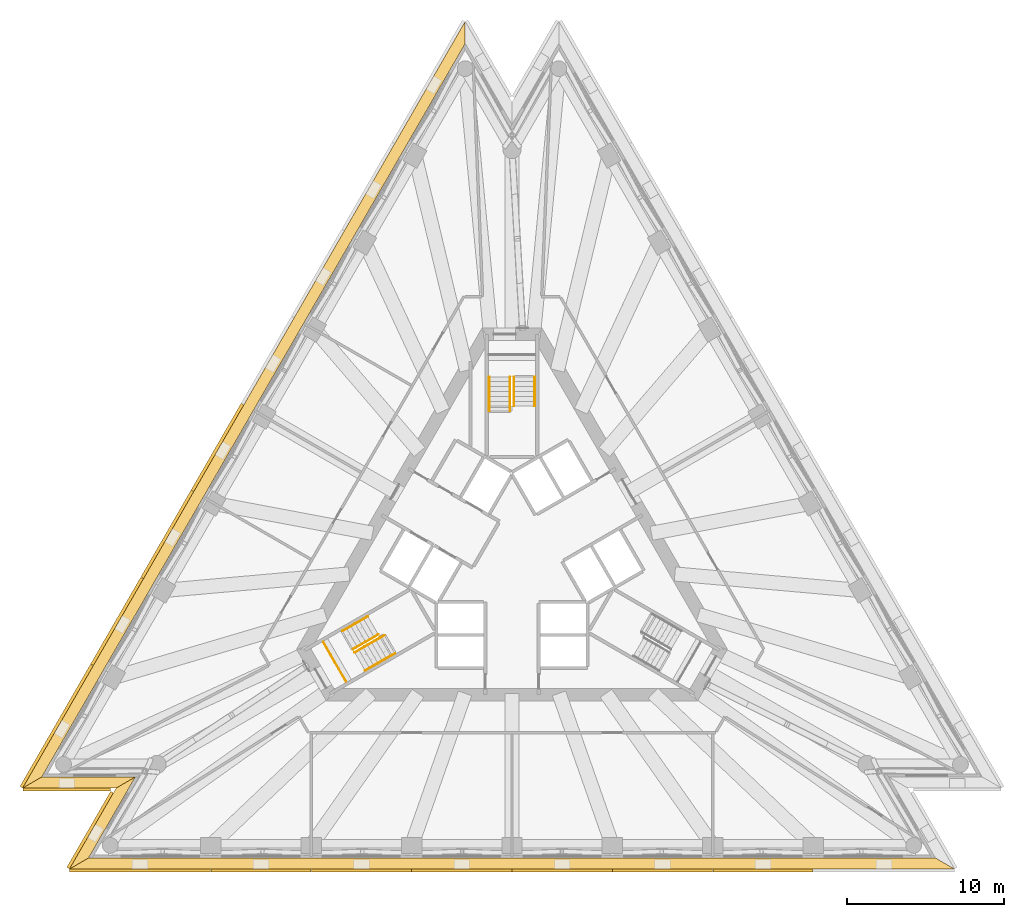
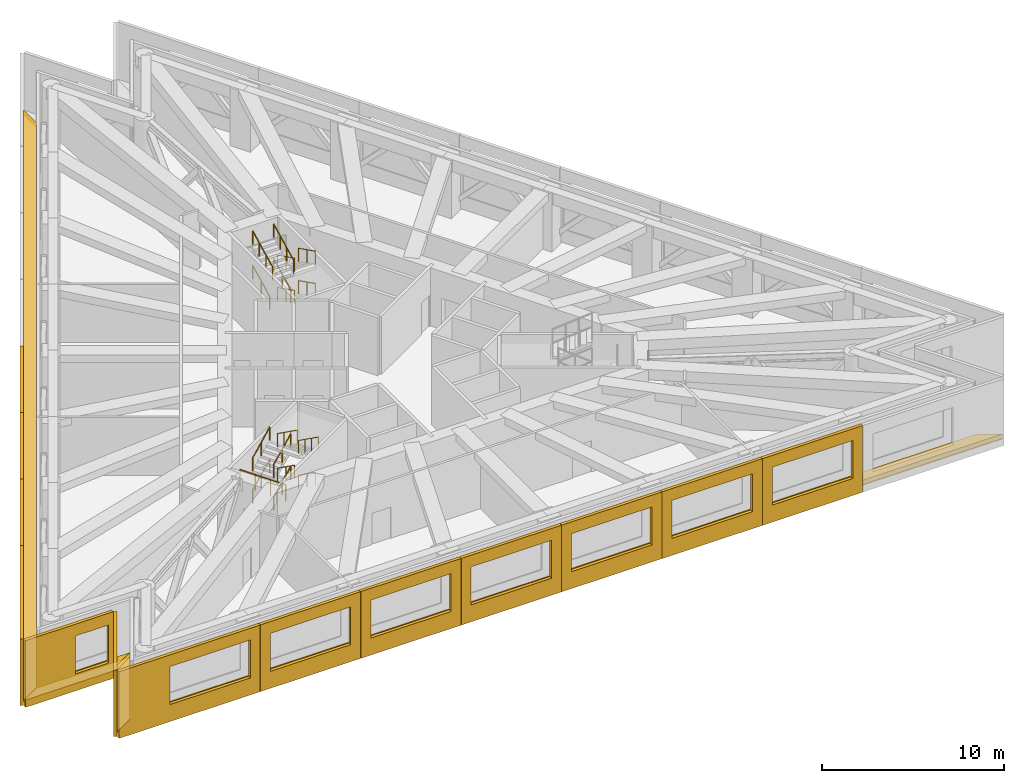
# One storey, part 12 of 13: 17 railings, 17 shading devices, 4 coverings, 2 elements without a shape of their own.
"""IFC4 building model written with IfcOpenShell, lengths in metres."""

from ifc_helpers import new_model, si_unit, direction, frame, origin, origin_2d, place, context, subcontext, project, spatial, polyline, circle, outline, extrude, material, layer, layer_set, layer_usage, type_object, element, aggregate, save


model = new_model("IFC4")

# Units and contexts
model_context = context("Model", 3, precision=1e-05, world=origin(), true_north=direction((0.0, 1.0)))
body_context = subcontext(model_context, "Body", "Model", "MODEL_VIEW")
ifc_project = project(units=[si_unit("LENGTHUNIT", "METRE"), si_unit("AREAUNIT", "SQUARE_METRE"), si_unit("VOLUMEUNIT", "CUBIC_METRE"), si_unit("PLANEANGLEUNIT", "RADIAN"), si_unit("MASSUNIT", "GRAM", prefix="KILO")], contexts=[model_context])

# Site, building, storey
site_placement = place(None, origin())
site = spatial("IfcSite", under=ifc_project, at=site_placement, CompositionType="ELEMENT")
building_placement = place(site_placement, origin())
building = spatial("IfcBuilding", under=site, at=building_placement, Name="Triada Interchange Tower", CompositionType="ELEMENT")
storey_placement = place(building_placement, frame((0.0, 0.0, 176.300048828125)))
storey = spatial("IfcBuildingStorey", under=building, at=storey_placement, Name="L41", CompositionType="ELEMENT", Elevation=176.300048828125)

# Coverings
ifc_material_1 = material(Name="Mineral fire-stop board")
ifc_layer_1 = layer(ifc_material_1, 0.0400390625, Name="Mineral fire-stop board")
ifc_material_2 = material(Name="Intumescent sealant")
ifc_layer_2 = layer(ifc_material_2, 0.010009765625, Name="Intumescent seal")
ifc_layer_set_1 = layer_set([ifc_layer_1, ifc_layer_2], Name="Cavity fire stop")
ifc_layer_usage = layer_usage(ifc_layer_set_1, "AXIS3", "POSITIVE", 0.0)
covering_type = type_object("IfcCoveringType", Name="Cavity fire stop", PredefinedType="INSULATION", material=ifc_layer_set_1)
covering_1_placement = place(storey_placement, origin())
element("IfcCovering", 1, at=covering_1_placement, inside=storey, type_object=covering_type, material=ifc_layer_usage, Name="Cavity fire stop L41 NW", PredefinedType="INSULATION", context=body_context, shape_type="SweptSolid", body=[
    extrude(outline(polyline([(-2.970947265625, 32.77587890625), (-2.970947265625, 34.176025390625), (-31.08203125, -14.514892578125), (-29.8701171875, -13.81494140625), (-2.970947265625, 32.77587890625)])), origin(), (0.0, 0.0, 1.0), 0.050048828125),
])
covering_2_placement = place(storey_placement, origin())
element("IfcCovering", 2, at=covering_2_placement, inside=storey, type_object=covering_type, material=ifc_layer_usage, Name="Cavity fire stop L41 SW-1", PredefinedType="INSULATION", context=body_context, shape_type="SweptSolid", body=[
    extrude(outline(polyline([(-29.8701171875, -13.81494140625), (-31.08203125, -14.514892578125), (-25.139892578125, -14.514892578125), (-23.927978515625, -13.81494140625), (-29.8701171875, -13.81494140625)])), origin(), (0.0, 0.0, 1.0), 0.050048828125),
])
covering_3_placement = place(storey_placement, origin())
element("IfcCovering", 3, at=covering_3_placement, inside=storey, type_object=covering_type, material=ifc_layer_usage, Name="Cavity fire stop L41 SW-2", PredefinedType="INSULATION", context=body_context, shape_type="SweptSolid", body=[
    extrude(outline(polyline([(-23.927978515625, -13.81494140625), (-25.139892578125, -14.514892578125), (-28.111083984375, -19.660888671875), (-26.89892578125, -18.9609375), (-23.927978515625, -13.81494140625)])), origin(), (0.0, 0.0, 1.0), 0.050048828125),
])
covering_4_placement = place(storey_placement, origin())
element("IfcCovering", 4, at=covering_4_placement, inside=storey, type_object=covering_type, material=ifc_layer_usage, Name="Cavity fire stop L41 S", PredefinedType="INSULATION", context=body_context, shape_type="SweptSolid", body=[
    extrude(outline(polyline([(-26.89892578125, -18.9609375), (-28.111083984375, -19.660888671875), (28.111083984375, -19.660888671875), (26.89892578125, -18.9609375), (-26.89892578125, -18.9609375)])), origin(), (0.0, 0.0, 1.0), 0.050048828125),
])

# Shading devices
ifc_material_3 = material(Name="Aluminium louvre", Category="aluminium")
shading_device_type_1 = type_object("IfcShadingDeviceType", Name="Cavity louvre grille", PredefinedType="JALOUSIE", material=ifc_material_3)
shading_device_1_placement = place(storey_placement, frame((0.0, 0.0, 0.050048828125)))
element("IfcShadingDevice", 5, at=shading_device_1_placement, inside=storey, type_object=shading_device_type_1, Name="Cavity louvre grille L41 NW", PredefinedType="JALOUSIE", context=body_context, shape_type="SweptSolid", body=[
    extrude(outline(polyline([(-2.970947265625, 32.77587890625), (-2.970947265625, 34.176025390625), (-31.08203125, -14.514892578125), (-29.8701171875, -13.81494140625), (-2.970947265625, 32.77587890625)])), origin(), (0.0, 0.0, 1.0), 0.2998046875),
])
shading_device_2_placement = place(storey_placement, frame((0.0, 0.0, 0.050048828125)))
element("IfcShadingDevice", 6, at=shading_device_2_placement, inside=storey, type_object=shading_device_type_1, Name="Cavity louvre grille L41 SW-1", PredefinedType="JALOUSIE", context=body_context, shape_type="SweptSolid", body=[
    extrude(outline(polyline([(-29.8701171875, -13.81494140625), (-31.08203125, -14.514892578125), (-25.139892578125, -14.514892578125), (-23.927978515625, -13.81494140625), (-29.8701171875, -13.81494140625)])), origin(), (0.0, 0.0, 1.0), 0.2998046875),
])
shading_device_3_placement = place(storey_placement, frame((0.0, 0.0, 0.050048828125)))
element("IfcShadingDevice", 7, at=shading_device_3_placement, inside=storey, type_object=shading_device_type_1, Name="Cavity louvre grille L41 SW-2", PredefinedType="JALOUSIE", context=body_context, shape_type="SweptSolid", body=[
    extrude(outline(polyline([(-23.927978515625, -13.81494140625), (-25.139892578125, -14.514892578125), (-28.111083984375, -19.660888671875), (-26.89892578125, -18.9609375), (-23.927978515625, -13.81494140625)])), origin(), (0.0, 0.0, 1.0), 0.2998046875),
])
shading_device_4_placement = place(storey_placement, frame((0.0, 0.0, 0.050048828125)))
element("IfcShadingDevice", 8, at=shading_device_4_placement, inside=storey, type_object=shading_device_type_1, Name="Cavity louvre grille L41 S", PredefinedType="JALOUSIE", context=body_context, shape_type="SweptSolid", body=[
    extrude(outline(polyline([(-26.89892578125, -18.9609375), (-28.111083984375, -19.660888671875), (28.111083984375, -19.660888671875), (26.89892578125, -18.9609375), (-26.89892578125, -18.9609375)])), origin(), (0.0, 0.0, 1.0), 0.2998046875),
])
ifc_material_4 = material(Name="Concrete C50/60 precast", Category="concrete")
ifc_layer_3 = layer(ifc_material_4, 0.02001953125, Name="Exposed aggregate face")
ifc_layer_4 = layer(ifc_material_4, 0.179931640625, Name="Precast concrete screen")
ifc_layer_set_2 = layer_set([ifc_layer_3, ifc_layer_4], Name="Outer skin screen panel 4480")
shading_device_type_2 = type_object("IfcShadingDeviceType", Name="Outer skin screen panel 4480", PredefinedType="SHUTTER", material=ifc_layer_set_2)
shading_device_5_placement = place(storey_placement, frame((-17.031982421875, 9.822021484375, -0.2900390625), z_axis=(0.0, 0.0, 1.0), x_axis=(-0.499934055456, -0.866063473537, 0.0)))
element("IfcShadingDevice", 9, at=shading_device_5_placement, inside=storey, type_object=shading_device_type_2, Name="Outer skin screen panel L41 05", PredefinedType="SHUTTER", context=body_context, shape_type="SweptSolid", body=[
    extrude(outline(polyline([(0.0, 0.0), (6.358642578125, 0.0), (6.358642578125, 4.47998046875), (0.0, 4.47998046875), (0.0, 0.0)]), holes=[polyline([(0.62890625, 1.139892578125), (0.62890625, 3.68994140625), (5.72900390625, 3.68994140625), (5.72900390625, 1.139892578125), (0.62890625, 1.139892578125)])]), frame((0.0, 0.0, 0.0), z_axis=(0.0, -1.0, 0.0), x_axis=(1.0, 0.0, 0.0)), (0.0, 0.0, 1.0), 0.199951171875),
])
shading_device_6_placement = place(storey_placement, frame((-20.220947265625, 4.298095703125, -0.2900390625), z_axis=(0.0, 0.0, 1.0), x_axis=(-0.499934055456, -0.866063473537, 0.0)))
element("IfcShadingDevice", 10, at=shading_device_6_placement, inside=storey, type_object=shading_device_type_2, Name="Outer skin screen panel L41 06", PredefinedType="SHUTTER", context=body_context, shape_type="SweptSolid", body=[
    extrude(outline(polyline([(0.0, 0.0), (6.358642578125, 0.0), (6.358642578125, 4.47998046875), (0.0, 4.47998046875), (0.0, 0.0)]), holes=[polyline([(0.629638671875, 1.139892578125), (0.629638671875, 3.68994140625), (5.7294921875, 3.68994140625), (5.7294921875, 1.139892578125), (0.629638671875, 1.139892578125)])]), frame((0.0, 0.0, 0.0), z_axis=(0.0, -1.0, 0.0), x_axis=(1.0, 0.0, 0.0)), (0.0, 0.0, 1.0), 0.199951171875),
])
shading_device_7_placement = place(storey_placement, frame((-23.409912109375, -1.22607421875, -0.2900390625), z_axis=(0.0, 0.0, 1.0), x_axis=(-0.500045985206, -0.865998852585, 0.0)))
element("IfcShadingDevice", 11, at=shading_device_7_placement, inside=storey, type_object=shading_device_type_2, Name="Outer skin screen panel L41 07", PredefinedType="SHUTTER", context=body_context, shape_type="SweptSolid", body=[
    extrude(outline(polyline([(0.0, 0.0), (6.35791015625, 0.0), (6.35791015625, 4.47998046875), (0.0, 4.47998046875), (0.0, 0.0)]), holes=[polyline([(0.629150390625, 1.139892578125), (0.629150390625, 3.68994140625), (5.729248046875, 3.68994140625), (5.729248046875, 1.139892578125), (0.629150390625, 1.139892578125)])]), frame((0.0, 0.0, 0.0), z_axis=(0.0, -1.0, 0.0), x_axis=(1.0, 0.0, 0.0)), (0.0, 0.0, 1.0), 0.199951171875),
])
shading_device_8_placement = place(storey_placement, frame((-26.59912109375, -6.75, -0.2900390625), z_axis=(0.0, 0.0, 1.0), x_axis=(-0.499982811506, -0.866035327339, 0.0)))
element("IfcShadingDevice", 12, at=shading_device_8_placement, inside=storey, type_object=shading_device_type_2, Name="Outer skin screen panel L41 08", PredefinedType="SHUTTER", context=body_context, shape_type="SweptSolid", body=[
    extrude(outline(polyline([(0.0, 0.0), (8.955810546875, 0.0), (8.955810546875, 4.47998046875), (0.0, 4.47998046875), (0.0, 0.0)]), holes=[polyline([(0.62890625, 1.139892578125), (0.62890625, 3.68994140625), (5.72900390625, 3.68994140625), (5.72900390625, 1.139892578125), (0.62890625, 1.139892578125)])]), frame((0.0, 0.0, 0.0), z_axis=(0.0, -1.0, 0.0), x_axis=(1.0, 0.0, 0.0)), (0.0, 0.0, 1.0), 0.199951171875),
])
shading_device_9_placement = place(storey_placement, frame((-31.072021484375, -14.514892578125, -0.2900390625), z_axis=(0.0, 0.0, 1.0), x_axis=(1.0, 0.0, 0.0)))
element("IfcShadingDevice", 13, at=shading_device_9_placement, inside=storey, type_object=shading_device_type_2, Name="Outer skin screen panel L41 09", PredefinedType="SHUTTER", context=body_context, shape_type="SweptSolid", body=[
    extrude(outline(polyline([(0.0, 0.0), (5.574951171875, 0.0), (5.574951171875, 4.47998046875), (0.0, 4.47998046875), (0.0, 0.0)]), holes=[polyline([(3.175048828125, 1.139892578125), (3.175048828125, 3.68994140625), (5.27490234375, 3.68994140625), (5.27490234375, 1.139892578125), (3.175048828125, 1.139892578125)])]), frame((0.0, 0.0, 0.0), z_axis=(0.0, -1.0, 0.0), x_axis=(1.0, 0.0, 0.0)), (0.0, 0.0, 1.0), 0.199951171875),
])
shading_device_10_placement = place(storey_placement, frame((-25.319091796875, -14.823974609375, -0.2900390625), z_axis=(0.0, 0.0, 1.0), x_axis=(-0.499912006222, -0.866076201056, 0.0)))
element("IfcShadingDevice", 14, at=shading_device_10_placement, inside=storey, type_object=shading_device_type_2, Name="Outer skin screen panel L41 10", PredefinedType="SHUTTER", context=body_context, shape_type="SweptSolid", body=[
    extrude(outline(polyline([(0.0, 0.0), (5.57470703125, 0.0), (5.57470703125, 4.47998046875), (0.0, 4.47998046875), (0.0, 0.0)]), holes=[polyline([(0.300048828125, 1.139892578125), (0.300048828125, 3.68994140625), (2.2578125, 3.68994140625), (2.2578125, 1.139892578125), (0.300048828125, 1.139892578125)])]), frame((0.0, 0.0, 0.0), z_axis=(0.0, -1.0, 0.0), x_axis=(1.0, 0.0, 0.0)), (0.0, 0.0, 1.0), 0.199951171875),
])
shading_device_11_placement = place(storey_placement, frame((-28.10107421875, -19.660888671875, -0.2900390625), z_axis=(0.0, 0.0, 1.0), x_axis=(1.0, 0.0, 0.0)))
element("IfcShadingDevice", 15, at=shading_device_11_placement, inside=storey, type_object=shading_device_type_2, Name="Outer skin screen panel L41 11", PredefinedType="SHUTTER", context=body_context, shape_type="SweptSolid", body=[
    extrude(outline(polyline([(0.0, 0.0), (8.9560546875, 0.0), (8.9560546875, 4.47998046875), (0.0, 4.47998046875), (0.0, 0.0)]), holes=[polyline([(3.22705078125, 1.139892578125), (3.22705078125, 3.68994140625), (8.326904296875, 3.68994140625), (8.326904296875, 1.139892578125), (3.22705078125, 1.139892578125)])]), frame((0.0, 0.0, 0.0), z_axis=(0.0, -1.0, 0.0), x_axis=(1.0, 0.0, 0.0)), (0.0, 0.0, 1.0), 0.199951171875),
])
shading_device_12_placement = place(storey_placement, frame((-19.125, -19.660888671875, -0.2900390625), z_axis=(0.0, 0.0, 1.0), x_axis=(1.0, 0.0, 0.0)))
element("IfcShadingDevice", 16, at=shading_device_12_placement, inside=storey, type_object=shading_device_type_2, Name="Outer skin screen panel L41 12", PredefinedType="SHUTTER", context=body_context, shape_type="SweptSolid", body=[
    extrude(outline(polyline([(0.0, 0.0), (6.35888671875, 0.0), (6.35888671875, 4.47998046875), (0.0, 4.47998046875), (0.0, 0.0)]), holes=[polyline([(0.62890625, 1.139892578125), (0.62890625, 3.68994140625), (5.728759765625, 3.68994140625), (5.728759765625, 1.139892578125), (0.62890625, 1.139892578125)])]), frame((0.0, 0.0, 0.0), z_axis=(0.0, -1.0, 0.0), x_axis=(1.0, 0.0, 0.0)), (0.0, 0.0, 1.0), 0.199951171875),
])
shading_device_13_placement = place(storey_placement, frame((-12.7470703125, -19.660888671875, -0.2900390625), z_axis=(0.0, 0.0, 1.0), x_axis=(1.0, 0.0, 0.0)))
element("IfcShadingDevice", 17, at=shading_device_13_placement, inside=storey, type_object=shading_device_type_2, Name="Outer skin screen panel L41 13", PredefinedType="SHUTTER", context=body_context, shape_type="SweptSolid", body=[
    extrude(outline(polyline([(0.0, 0.0), (6.359130859375, 0.0), (6.359130859375, 4.47998046875), (0.0, 4.47998046875), (0.0, 0.0)]), holes=[polyline([(0.62939453125, 1.139892578125), (0.62939453125, 3.68994140625), (5.7294921875, 3.68994140625), (5.7294921875, 1.139892578125), (0.62939453125, 1.139892578125)])]), frame((0.0, 0.0, 0.0), z_axis=(0.0, -1.0, 0.0), x_axis=(1.0, 0.0, 0.0)), (0.0, 0.0, 1.0), 0.199951171875),
])
shading_device_14_placement = place(storey_placement, frame((-6.367919921875, -19.660888671875, -0.2900390625), z_axis=(0.0, 0.0, 1.0), x_axis=(1.0, 0.0, 0.0)))
element("IfcShadingDevice", 18, at=shading_device_14_placement, inside=storey, type_object=shading_device_type_2, Name="Outer skin screen panel L41 14", PredefinedType="SHUTTER", context=body_context, shape_type="SweptSolid", body=[
    extrude(outline(polyline([(0.0, 0.0), (6.35791015625, 0.0), (6.35791015625, 4.47998046875), (0.0, 4.47998046875), (0.0, 0.0)]), holes=[polyline([(0.629150390625, 1.139892578125), (0.629150390625, 3.68994140625), (5.729248046875, 3.68994140625), (5.729248046875, 1.139892578125), (0.629150390625, 1.139892578125)])]), frame((0.0, 0.0, 0.0), z_axis=(0.0, -1.0, 0.0), x_axis=(1.0, 0.0, 0.0)), (0.0, 0.0, 1.0), 0.199951171875),
])
shading_device_15_placement = place(storey_placement, frame((0.010009765625, -19.660888671875, -0.2900390625), z_axis=(0.0, 0.0, 1.0), x_axis=(1.0, 0.0, 0.0)))
element("IfcShadingDevice", 19, at=shading_device_15_placement, inside=storey, type_object=shading_device_type_2, Name="Outer skin screen panel L41 15", PredefinedType="SHUTTER", context=body_context, shape_type="SweptSolid", body=[
    extrude(outline(polyline([(0.0, 0.0), (6.35791015625, 0.0), (6.35791015625, 4.47998046875), (0.0, 4.47998046875), (0.0, 0.0)]), holes=[polyline([(0.62890625, 1.139892578125), (0.62890625, 3.68994140625), (5.72900390625, 3.68994140625), (5.72900390625, 1.139892578125), (0.62890625, 1.139892578125)])]), frame((0.0, 0.0, 0.0), z_axis=(0.0, -1.0, 0.0), x_axis=(1.0, 0.0, 0.0)), (0.0, 0.0, 1.0), 0.199951171875),
])
shading_device_16_placement = place(storey_placement, frame((6.387939453125, -19.660888671875, -0.2900390625), z_axis=(0.0, 0.0, 1.0), x_axis=(1.0, 0.0, 0.0)))
element("IfcShadingDevice", 20, at=shading_device_16_placement, inside=storey, type_object=shading_device_type_2, Name="Outer skin screen panel L41 16", PredefinedType="SHUTTER", context=body_context, shape_type="SweptSolid", body=[
    extrude(outline(polyline([(0.0, 0.0), (6.359130859375, 0.0), (6.359130859375, 4.47998046875), (0.0, 4.47998046875), (0.0, 0.0)]), holes=[polyline([(0.62890625, 1.139892578125), (0.62890625, 3.68994140625), (5.728759765625, 3.68994140625), (5.728759765625, 1.139892578125), (0.62890625, 1.139892578125)])]), frame((0.0, 0.0, 0.0), z_axis=(0.0, -1.0, 0.0), x_axis=(1.0, 0.0, 0.0)), (0.0, 0.0, 1.0), 0.199951171875),
])
shading_device_17_placement = place(storey_placement, frame((12.76611328125, -19.660888671875, -0.2900390625), z_axis=(0.0, 0.0, 1.0), x_axis=(1.0, 0.0, 0.0)))
element("IfcShadingDevice", 21, at=shading_device_17_placement, inside=storey, type_object=shading_device_type_2, Name="Outer skin screen panel L41 17", PredefinedType="SHUTTER", context=body_context, shape_type="SweptSolid", body=[
    extrude(outline(polyline([(0.0, 0.0), (6.35888671875, 0.0), (6.35888671875, 4.47998046875), (0.0, 4.47998046875), (0.0, 0.0)]), holes=[polyline([(0.62939453125, 1.139892578125), (0.62939453125, 3.68994140625), (5.7294921875, 3.68994140625), (5.7294921875, 1.139892578125), (0.62939453125, 1.139892578125)])]), frame((0.0, 0.0, 0.0), z_axis=(0.0, -1.0, 0.0), x_axis=(1.0, 0.0, 0.0)), (0.0, 0.0, 1.0), 0.199951171875),
])

# Stair, railing
ifc_material_5 = material(Name="Concrete C35/45", Category="concrete")
stair_type = type_object("IfcStairType", Name="HALF TURN STAIR 1400", PredefinedType="HALF_TURN_STAIR", material=ifc_material_5)
stair_1_placement = place(storey_placement, origin())
stair_1 = element("IfcStair", 22, at=stair_1_placement, inside=storey, type_object=stair_type, Name="Exit stair S41-2", PredefinedType="HALF_TURN_STAIR")
ifc_material_6 = material(Name="Stainless steel 1.4301", Category="steel")
railing_type_1 = type_object("IfcRailingType", Name="STAIR GUARD 1100", PredefinedType="GUARDRAIL", material=ifc_material_6)
railing_1_placement = place(storey_placement, frame((-11.98291015625, -5.243896484375, 2.17236328125)))
railing_1 = element("IfcRailing", 23, at=railing_1_placement, type_object=railing_type_1, Name="Guard S41-2 1", PredefinedType="GUARDRAIL", context=body_context, shape_type="SweptSolid", body=[
    extrude(circle(Radius=0.02392578125, at=origin_2d()), frame((0.0, 0.0, 1.076171875), z_axis=(0.499877891294, -0.866095891802, 0.0), x_axis=(0.866095891802, 0.499877891294, 0.0)), (0.0, 0.0, 1.0), 2.900634765625),
    extrude(circle(Radius=0.02099609375, at=origin_2d()), origin(), (0.0, 0.0, 1.0), 1.052001953125),
    extrude(circle(Radius=0.02099609375, at=origin_2d()), frame((0.4833984375, -0.83740234375, 0.0)), (0.0, 0.0, 1.0), 1.052001953125),
    extrude(circle(Radius=0.02099609375, at=origin_2d()), frame((0.966552734375, -1.6748046875, 0.0)), (0.0, 0.0, 1.0), 1.052001953125),
    extrude(circle(Radius=0.02099609375, at=origin_2d()), frame((1.449951171875, -2.51220703125, 0.0)), (0.0, 0.0, 1.0), 1.052001953125),
])

# Stair, railings
stair_2_placement = place(storey_placement, origin())
stair_2 = element("IfcStair", 24, at=stair_2_placement, inside=storey, type_object=stair_type, Name="Exit stair S41-1", PredefinedType="HALF_TURN_STAIR")
railing_type_2 = type_object("IfcRailingType", Name="STAIR HANDRAIL 900", PredefinedType="HANDRAIL", material=ifc_material_6)
railing_2_placement = place(storey_placement, frame((1.449951171875, 11.60009765625, 0.155029296875)))
railing_2 = element("IfcRailing", 25, at=railing_2_placement, type_object=railing_type_2, Name="Handrail S41-1 1W", PredefinedType="HANDRAIL", context=body_context, shape_type="SweptSolid", body=[
    extrude(circle(Radius=0.02392578125, at=origin_2d()), frame((0.0, 0.0, 0.8759765625), z_axis=(0.0, -0.894215831392, 0.447636065222), x_axis=(1.0, 0.0, 0.0)), (0.0, 0.0, 1.0), 2.080078125),
    extrude(circle(Radius=0.02099609375, at=origin_2d()), origin(), (0.0, 0.0, 1.0), 0.851806640625),
    extrude(circle(Radius=0.02099609375, at=origin_2d()), frame((0.0, -0.93017578125, 0.465576171875)), (0.0, 0.0, 1.0), 0.851806640625),
    extrude(circle(Radius=0.02099609375, at=origin_2d()), frame((0.0, -1.860107421875, 0.93115234375)), (0.0, 0.0, 1.0), 0.851806640625),
])
railing_3_placement = place(storey_placement, frame((0.1201171875, 11.60009765625, 0.155029296875)))
railing_3 = element("IfcRailing", 26, at=railing_3_placement, type_object=railing_type_2, Name="Handrail S41-1 1C", PredefinedType="HANDRAIL", context=body_context, shape_type="SweptSolid", body=[
    extrude(circle(Radius=0.02392578125, at=origin_2d()), frame((0.0, 0.0, 0.8759765625), z_axis=(0.0, -0.894215831392, 0.447636065222), x_axis=(1.0, 0.0, 0.0)), (0.0, 0.0, 1.0), 2.080078125),
    extrude(circle(Radius=0.02099609375, at=origin_2d()), origin(), (0.0, 0.0, 1.0), 0.851806640625),
    extrude(circle(Radius=0.02099609375, at=origin_2d()), frame((0.0, -0.93017578125, 0.465576171875)), (0.0, 0.0, 1.0), 0.851806640625),
    extrude(circle(Radius=0.02099609375, at=origin_2d()), frame((0.0, -1.860107421875, 0.93115234375)), (0.0, 0.0, 1.0), 0.851806640625),
])
railing_4_placement = place(storey_placement, frame((-1.449951171875, 9.739990234375, 1.241455078125)))
railing_4 = element("IfcRailing", 27, at=railing_4_placement, type_object=railing_type_2, Name="Handrail S41-1 2W", PredefinedType="HANDRAIL", context=body_context, shape_type="SweptSolid", body=[
    extrude(circle(Radius=0.02392578125, at=origin_2d()), frame((0.0, 0.0, 0.8759765625), z_axis=(0.0, 0.894262808804, 0.447542208947), x_axis=(-1.0, 0.0, 0.0)), (0.0, 0.0, 1.0), 2.080078125),
    extrude(circle(Radius=0.02099609375, at=origin_2d()), origin(), (0.0, 0.0, 1.0), 0.851806640625),
    extrude(circle(Radius=0.02099609375, at=origin_2d()), frame((0.0, 0.93017578125, 0.46533203125)), (0.0, 0.0, 1.0), 0.851806640625),
    extrude(circle(Radius=0.02099609375, at=origin_2d()), frame((0.0, 1.860107421875, 0.930908203125)), (0.0, 0.0, 1.0), 0.851806640625),
])
railing_5_placement = place(storey_placement, frame((-0.1201171875, 9.739990234375, 1.241455078125)))
railing_5 = element("IfcRailing", 28, at=railing_5_placement, type_object=railing_type_2, Name="Handrail S41-1 2C", PredefinedType="HANDRAIL", context=body_context, shape_type="SweptSolid", body=[
    extrude(circle(Radius=0.02392578125, at=origin_2d()), frame((0.0, 0.0, 0.8759765625), z_axis=(0.0, 0.894262808804, 0.447542208947), x_axis=(-1.0, 0.0, 0.0)), (0.0, 0.0, 1.0), 2.080078125),
    extrude(circle(Radius=0.02099609375, at=origin_2d()), origin(), (0.0, 0.0, 1.0), 0.851806640625),
    extrude(circle(Radius=0.02099609375, at=origin_2d()), frame((0.0, 0.93017578125, 0.46533203125)), (0.0, 0.0, 1.0), 0.851806640625),
    extrude(circle(Radius=0.02099609375, at=origin_2d()), frame((0.0, 1.860107421875, 0.930908203125)), (0.0, 0.0, 1.0), 0.851806640625),
])
railing_6_placement = place(storey_placement, frame((1.449951171875, 11.60009765625, 2.32763671875)))
railing_6 = element("IfcRailing", 29, at=railing_6_placement, type_object=railing_type_2, Name="Handrail S41-1 3W", PredefinedType="HANDRAIL", context=body_context, shape_type="SweptSolid", body=[
    extrude(circle(Radius=0.02392578125, at=origin_2d()), frame((0.0, 0.0, 0.8759765625), z_axis=(0.0, -0.894262808804, 0.447542208947), x_axis=(1.0, 0.0, 0.0)), (0.0, 0.0, 1.0), 2.080078125),
    extrude(circle(Radius=0.02099609375, at=origin_2d()), origin(), (0.0, 0.0, 1.0), 0.851806640625),
    extrude(circle(Radius=0.02099609375, at=origin_2d()), frame((0.0, -0.93017578125, 0.46533203125)), (0.0, 0.0, 1.0), 0.851806640625),
    extrude(circle(Radius=0.02099609375, at=origin_2d()), frame((0.0, -1.860107421875, 0.930908203125)), (0.0, 0.0, 1.0), 0.851806640625),
])
railing_7_placement = place(storey_placement, frame((0.1201171875, 11.60009765625, 2.32763671875)))
railing_7 = element("IfcRailing", 30, at=railing_7_placement, type_object=railing_type_2, Name="Handrail S41-1 3C", PredefinedType="HANDRAIL", context=body_context, shape_type="SweptSolid", body=[
    extrude(circle(Radius=0.02392578125, at=origin_2d()), frame((0.0, 0.0, 0.8759765625), z_axis=(0.0, -0.894262808804, 0.447542208947), x_axis=(1.0, 0.0, 0.0)), (0.0, 0.0, 1.0), 2.080078125),
    extrude(circle(Radius=0.02099609375, at=origin_2d()), origin(), (0.0, 0.0, 1.0), 0.851806640625),
    extrude(circle(Radius=0.02099609375, at=origin_2d()), frame((0.0, -0.93017578125, 0.46533203125)), (0.0, 0.0, 1.0), 0.851806640625),
    extrude(circle(Radius=0.02099609375, at=origin_2d()), frame((0.0, -1.860107421875, 0.930908203125)), (0.0, 0.0, 1.0), 0.851806640625),
])
railing_8_placement = place(storey_placement, frame((-1.449951171875, 9.429931640625, 3.413818359375)))
railing_8 = element("IfcRailing", 31, at=railing_8_placement, type_object=railing_type_2, Name="Handrail S41-1 4W", PredefinedType="HANDRAIL", context=body_context, shape_type="SweptSolid", body=[
    extrude(circle(Radius=0.02392578125, at=origin_2d()), frame((0.0, 0.0, 0.8759765625), z_axis=(0.0, 0.894246035119, 0.447575723956), x_axis=(-1.0, 0.0, 0.0)), (0.0, 0.0, 1.0), 2.4267578125),
    extrude(circle(Radius=0.02099609375, at=origin_2d()), origin(), (0.0, 0.0, 1.0), 0.851806640625),
    extrude(circle(Radius=0.02099609375, at=origin_2d()), frame((0.0, 0.723388671875, 0.362060546875)), (0.0, 0.0, 1.0), 0.851806640625),
    extrude(circle(Radius=0.02099609375, at=origin_2d()), frame((0.0, 1.44677734375, 0.72412109375)), (0.0, 0.0, 1.0), 0.851806640625),
    extrude(circle(Radius=0.02099609375, at=origin_2d()), frame((0.0, 2.170166015625, 1.086181640625)), (0.0, 0.0, 1.0), 0.851806640625),
])
railing_9_placement = place(storey_placement, frame((-0.1201171875, 9.429931640625, 3.413818359375)))
railing_9 = element("IfcRailing", 32, at=railing_9_placement, type_object=railing_type_2, Name="Handrail S41-1 4C", PredefinedType="HANDRAIL", context=body_context, shape_type="SweptSolid", body=[
    extrude(circle(Radius=0.02392578125, at=origin_2d()), frame((0.0, 0.0, 0.8759765625), z_axis=(0.0, 0.894246035119, 0.447575723956), x_axis=(-1.0, 0.0, 0.0)), (0.0, 0.0, 1.0), 2.4267578125),
    extrude(circle(Radius=0.02099609375, at=origin_2d()), origin(), (0.0, 0.0, 1.0), 0.851806640625),
    extrude(circle(Radius=0.02099609375, at=origin_2d()), frame((0.0, 0.723388671875, 0.362060546875)), (0.0, 0.0, 1.0), 0.851806640625),
    extrude(circle(Radius=0.02099609375, at=origin_2d()), frame((0.0, 1.44677734375, 0.72412109375)), (0.0, 0.0, 1.0), 0.851806640625),
    extrude(circle(Radius=0.02099609375, at=origin_2d()), frame((0.0, 2.170166015625, 1.086181640625)), (0.0, 0.0, 1.0), 0.851806640625),
])
aggregate(stair_2, [railing_2, railing_3, railing_4, railing_5, railing_6, railing_7, railing_8, railing_9])

# Railing
railing_10_placement = place(storey_placement, frame((-10.77099609375, -4.5439453125, 0.155029296875)))
railing_10 = element("IfcRailing", 33, at=railing_10_placement, type_object=railing_type_2, Name="Handrail S41-2 1W", PredefinedType="HANDRAIL", context=body_context, shape_type="SweptSolid", body=[
    extrude(circle(Radius=0.02392578125, at=origin_2d()), frame((0.0, 0.0, 0.8759765625), z_axis=(0.774469289278, 0.447030386856, 0.447617194925), x_axis=(-0.499908018857, 0.866078502609, 0.0)), (0.0, 0.0, 1.0), 2.080322265625),
    extrude(circle(Radius=0.02099609375, at=origin_2d()), origin(), (0.0, 0.0, 1.0), 0.851806640625),
    extrude(circle(Radius=0.02099609375, at=origin_2d()), frame((0.8056640625, 0.46484375, 0.465576171875)), (0.0, 0.0, 1.0), 0.851806640625),
    extrude(circle(Radius=0.02099609375, at=origin_2d()), frame((1.611083984375, 0.929931640625, 0.93115234375)), (0.0, 0.0, 1.0), 0.851806640625),
])

railing_11_placement = place(storey_placement, frame((-10.10595703125, -5.696044921875, 0.155029296875)))
railing_11 = element("IfcRailing", 34, at=railing_11_placement, type_object=railing_type_2, Name="Handrail S41-2 1C", PredefinedType="HANDRAIL", context=body_context, shape_type="SweptSolid", body=[
    extrude(circle(Radius=0.02392578125, at=origin_2d()), frame((0.0, 0.0, 0.8759765625), z_axis=(0.774422315071, 0.447071021234, 0.447657882643), x_axis=(-0.499964847546, 0.866045698112, 0.0)), (0.0, 0.0, 1.0), 2.080078125),
    extrude(circle(Radius=0.02099609375, at=origin_2d()), origin(), (0.0, 0.0, 1.0), 0.851806640625),
    extrude(circle(Radius=0.02099609375, at=origin_2d()), frame((0.805419921875, 0.46484375, 0.465576171875)), (0.0, 0.0, 1.0), 0.851806640625),
    extrude(circle(Radius=0.02099609375, at=origin_2d()), frame((1.61083984375, 0.929931640625, 0.93115234375)), (0.0, 0.0, 1.0), 0.851806640625),
])

railing_12_placement = place(storey_placement, frame((-7.7099609375, -6.1259765625, 1.241455078125)))
railing_12 = element("IfcRailing", 35, at=railing_12_placement, type_object=railing_type_2, Name="Handrail S41-2 2W", PredefinedType="HANDRAIL", context=body_context, shape_type="SweptSolid", body=[
    extrude(circle(Radius=0.02392578125, at=origin_2d()), frame((0.0, 0.0, 0.8759765625), z_axis=(-0.774509972404, -0.447053869509, 0.447523340624), x_axis=(0.499908018857, -0.866078502609, 0.0)), (0.0, 0.0, 1.0), 2.080078125),
    extrude(circle(Radius=0.02099609375, at=origin_2d()), origin(), (0.0, 0.0, 1.0), 0.851806640625),
    extrude(circle(Radius=0.02099609375, at=origin_2d()), frame((-0.8056640625, -0.46484375, 0.46533203125)), (0.0, 0.0, 1.0), 0.851806640625),
    extrude(circle(Radius=0.02099609375, at=origin_2d()), frame((-1.611083984375, -0.929931640625, 0.930908203125)), (0.0, 0.0, 1.0), 0.851806640625),
])

railing_13_placement = place(storey_placement, frame((-8.375, -4.97412109375, 1.241455078125)))
railing_13 = element("IfcRailing", 36, at=railing_13_placement, type_object=railing_type_2, Name="Handrail S41-2 2C", PredefinedType="HANDRAIL", context=body_context, shape_type="SweptSolid", body=[
    extrude(circle(Radius=0.02392578125, at=origin_2d()), frame((0.0, 0.0, 0.8759765625), z_axis=(-0.774509972404, -0.447053869509, 0.447523340624), x_axis=(0.499908018857, -0.866078502609, 0.0)), (0.0, 0.0, 1.0), 2.080078125),
    extrude(circle(Radius=0.02099609375, at=origin_2d()), origin(), (0.0, 0.0, 1.0), 0.851806640625),
    extrude(circle(Radius=0.02099609375, at=origin_2d()), frame((-0.8056640625, -0.46484375, 0.46533203125)), (0.0, 0.0, 1.0), 0.851806640625),
    extrude(circle(Radius=0.02099609375, at=origin_2d()), frame((-1.611083984375, -0.929931640625, 0.930908203125)), (0.0, 0.0, 1.0), 0.851806640625),
])

railing_14_placement = place(storey_placement, frame((-10.77099609375, -4.5439453125, 2.32763671875)))
railing_14 = element("IfcRailing", 37, at=railing_14_placement, type_object=railing_type_2, Name="Handrail S41-2 3W", PredefinedType="HANDRAIL", context=body_context, shape_type="SweptSolid", body=[
    extrude(circle(Radius=0.02392578125, at=origin_2d()), frame((0.0, 0.0, 0.8759765625), z_axis=(0.774509972404, 0.447053869509, 0.447523340624), x_axis=(-0.499908018857, 0.866078502609, 0.0)), (0.0, 0.0, 1.0), 2.080078125),
    extrude(circle(Radius=0.02099609375, at=origin_2d()), origin(), (0.0, 0.0, 1.0), 0.851806640625),
    extrude(circle(Radius=0.02099609375, at=origin_2d()), frame((0.8056640625, 0.46484375, 0.46533203125)), (0.0, 0.0, 1.0), 0.851806640625),
    extrude(circle(Radius=0.02099609375, at=origin_2d()), frame((1.611083984375, 0.929931640625, 0.930908203125)), (0.0, 0.0, 1.0), 0.851806640625),
])

railing_15_placement = place(storey_placement, frame((-10.10595703125, -5.696044921875, 2.32763671875)))
railing_15 = element("IfcRailing", 38, at=railing_15_placement, type_object=railing_type_2, Name="Handrail S41-2 3C", PredefinedType="HANDRAIL", context=body_context, shape_type="SweptSolid", body=[
    extrude(circle(Radius=0.02392578125, at=origin_2d()), frame((0.0, 0.0, 0.8759765625), z_axis=(0.774463003126, 0.447094510292, 0.447564024086), x_axis=(-0.499964847546, 0.866045698112, 0.0)), (0.0, 0.0, 1.0), 2.079833984375),
    extrude(circle(Radius=0.02099609375, at=origin_2d()), origin(), (0.0, 0.0, 1.0), 0.851806640625),
    extrude(circle(Radius=0.02099609375, at=origin_2d()), frame((0.805419921875, 0.46484375, 0.46533203125)), (0.0, 0.0, 1.0), 0.851806640625),
    extrude(circle(Radius=0.02099609375, at=origin_2d()), frame((1.61083984375, 0.929931640625, 0.930908203125)), (0.0, 0.0, 1.0), 0.851806640625),
])

railing_16_placement = place(storey_placement, frame((-7.44189453125, -5.970947265625, 3.413818359375)))
railing_16 = element("IfcRailing", 39, at=railing_16_placement, type_object=railing_type_2, Name="Handrail S41-2 4W", PredefinedType="HANDRAIL", context=body_context, shape_type="SweptSolid", body=[
    extrude(circle(Radius=0.02392578125, at=origin_2d()), frame((0.0, 0.0, 0.8759765625), z_axis=(-0.774412913132, -0.447121084313, 0.447624145839), x_axis=(0.500011390128, -0.866018827591, 0.0)), (0.0, 0.0, 1.0), 2.426513671875),
    extrude(circle(Radius=0.02099609375, at=origin_2d()), origin(), (0.0, 0.0, 1.0), 0.851806640625),
    extrude(circle(Radius=0.02099609375, at=origin_2d()), frame((-0.62646484375, -0.361572265625, 0.362060546875)), (0.0, 0.0, 1.0), 0.851806640625),
    extrude(circle(Radius=0.02099609375, at=origin_2d()), frame((-1.252685546875, -0.723388671875, 0.72412109375)), (0.0, 0.0, 1.0), 0.851806640625),
    extrude(circle(Radius=0.02099609375, at=origin_2d()), frame((-1.879150390625, -1.0849609375, 1.086181640625)), (0.0, 0.0, 1.0), 0.851806640625),
])

railing_17_placement = place(storey_placement, frame((-8.10693359375, -4.819091796875, 3.413818359375)))
railing_17 = element("IfcRailing", 40, at=railing_17_placement, type_object=railing_type_2, Name="Handrail S41-2 4C", PredefinedType="HANDRAIL", context=body_context, shape_type="SweptSolid", body=[
    extrude(circle(Radius=0.02392578125, at=origin_2d()), frame((0.0, 0.0, 0.8759765625), z_axis=(-0.774412913132, -0.447121084313, 0.447624145839), x_axis=(0.500011390128, -0.866018827591, 0.0)), (0.0, 0.0, 1.0), 2.426513671875),
    extrude(circle(Radius=0.02099609375, at=origin_2d()), origin(), (0.0, 0.0, 1.0), 0.851806640625),
    extrude(circle(Radius=0.02099609375, at=origin_2d()), frame((-0.62646484375, -0.361572265625, 0.362060546875)), (0.0, 0.0, 1.0), 0.851806640625),
    extrude(circle(Radius=0.02099609375, at=origin_2d()), frame((-1.252685546875, -0.723388671875, 0.72412109375)), (0.0, 0.0, 1.0), 0.851806640625),
    extrude(circle(Radius=0.02099609375, at=origin_2d()), frame((-1.879150390625, -1.0849609375, 1.086181640625)), (0.0, 0.0, 1.0), 0.851806640625),
])

aggregate(stair_1, [railing_10, railing_11, railing_12, railing_13, railing_14, railing_15, railing_16, railing_17, railing_1])

save(model, "model.ifc")
